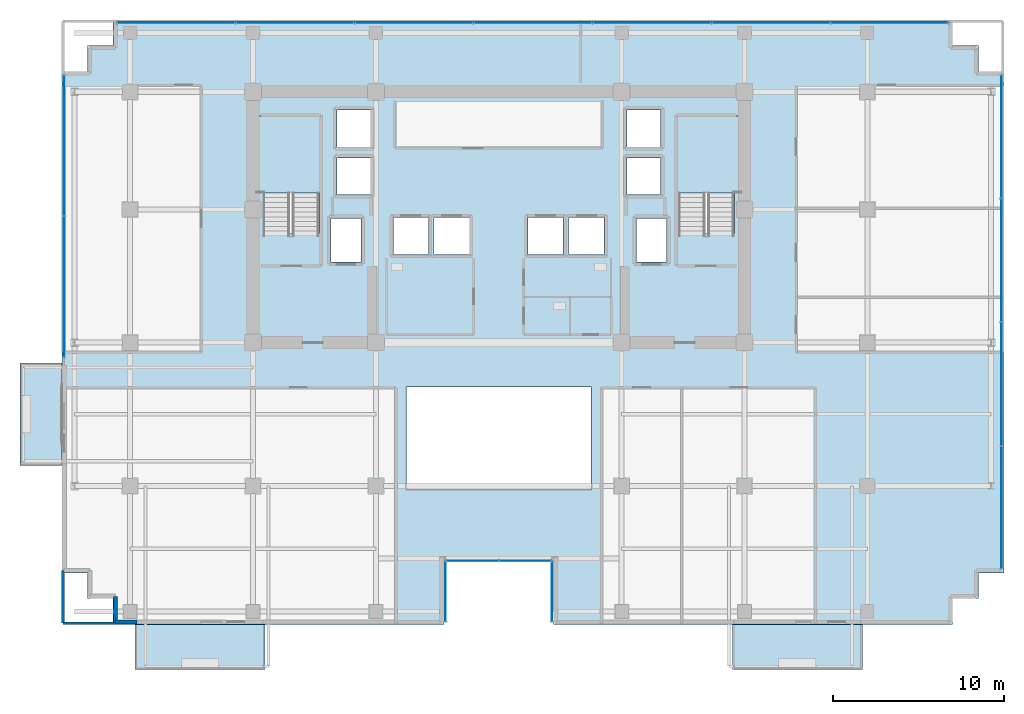
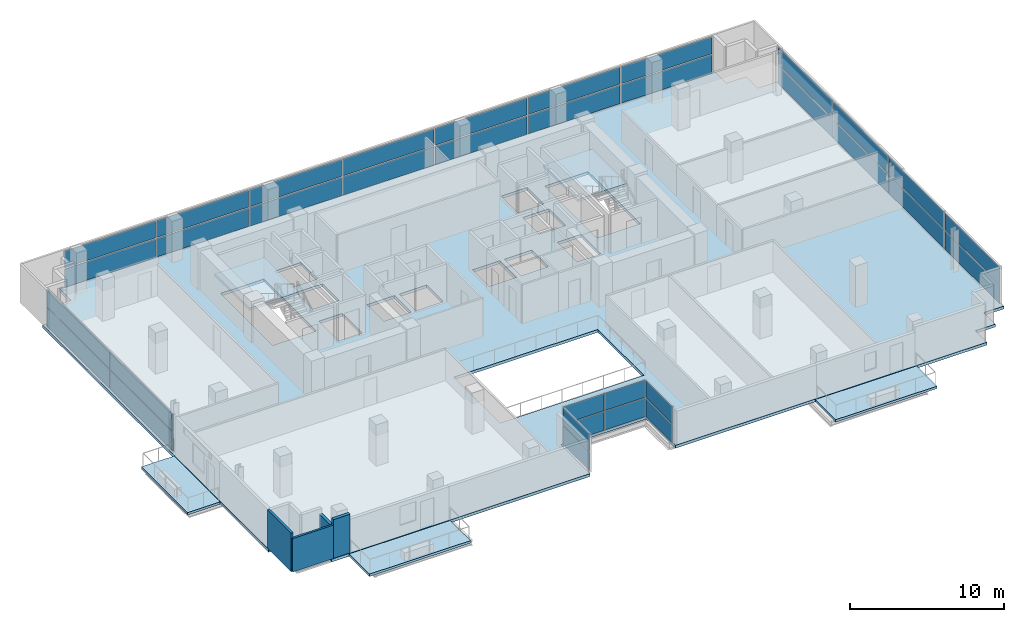
# One storey, part 14 of 23: 34 plates, 6 slabs, 4 walls, 8 elements without a shape of their own.
"""IFC4 building model written with IfcOpenShell, lengths in metres."""

from ifc_helpers import new_model, si_unit, direction, frame, frame_2d, origin, origin_2d, place, context, subcontext, project, spatial, polyline, rectangle, outline, extrude, source, transform, mapped, material, layer, layer_set, type_object, element, aggregate, save


model = new_model("IFC4")

# Units and contexts
model_context = context("Model", 3, precision=1e-05, world=origin(), true_north=direction((0.0, 1.0)))
body_context = subcontext(model_context, "Body", "Model", "MODEL_VIEW")
ifc_project = project(units=[si_unit("LENGTHUNIT", "METRE"), si_unit("AREAUNIT", "SQUARE_METRE"), si_unit("VOLUMEUNIT", "CUBIC_METRE"), si_unit("PLANEANGLEUNIT", "RADIAN"), si_unit("MASSUNIT", "GRAM", prefix="KILO")], contexts=[model_context])

# Site, building, storey
site_placement = place(None, origin())
site = spatial("IfcSite", under=ifc_project, at=site_placement, CompositionType="ELEMENT")
building_placement = place(site_placement, origin())
building = spatial("IfcBuilding", under=site, at=building_placement, Name="Zarnakvel Exchange Tower", CompositionType="ELEMENT")
storey_placement = place(building_placement, frame((0.0, 0.0, 129.699951171875)))
storey = spatial("IfcBuildingStorey", under=building, at=storey_placement, Name="L36", CompositionType="ELEMENT", Elevation=129.699951171875)

# Stair, slab
ifc_material_1 = material(Name="Concrete C40/50", Category="concrete")
stair_type = type_object("IfcStairType", Name="STR-01", PredefinedType="HALF_TURN_STAIR", material=ifc_material_1)
stair_1_placement = place(storey_placement, origin())
stair_1 = element("IfcStair", 1, at=stair_1_placement, inside=storey, type_object=stair_type, Name="L36 Protected Core Exit Stair ST-01", PredefinedType="HALF_TURN_STAIR")
ifc_layer_1 = layer(ifc_material_1, 0.199951171875)
ifc_layer_set_1 = layer_set([ifc_layer_1], Name="Concrete C40/50")
slab_type_1 = type_object("IfcSlabType", Name="LDG-01", PredefinedType="LANDING", material=ifc_layer_set_1)
slab_1_placement = place(storey_placement, frame((0.0, 0.0, 1.449951171875)))
slab_1 = element("IfcSlab", 2, at=slab_1_placement, type_object=slab_type_1, Name="ST-01 landing 1", PredefinedType="LANDING", context=body_context, shape_type="SweptSolid", body=[
    extrude(outline(polyline([(-14.18994140625, 7.570068359375), (-10.4599609375, 7.570068359375), (-10.4599609375, 12.080078125), (-14.18994140625, 12.080078125), (-14.18994140625, 7.570068359375)])), origin(), (0.0, 0.0, 1.0), 0.2001953125),
])
aggregate(stair_1, [slab_1])

stair_2_placement = place(storey_placement, origin())
stair_2 = element("IfcStair", 3, at=stair_2_placement, inside=storey, type_object=stair_type, Name="L36 Protected Core Exit Stair ST-02", PredefinedType="HALF_TURN_STAIR")
slab_2_placement = place(storey_placement, frame((0.0, 0.0, 1.449951171875)))
slab_2 = element("IfcSlab", 4, at=slab_2_placement, type_object=slab_type_1, Name="ST-02 landing 1", PredefinedType="LANDING", context=body_context, shape_type="SweptSolid", body=[
    extrude(outline(polyline([(10.4599609375, 7.570068359375), (14.18994140625, 7.570068359375), (14.18994140625, 12.080078125), (10.4599609375, 12.080078125), (10.4599609375, 7.570068359375)])), origin(), (0.0, 0.0, 1.0), 0.2001953125),
])
aggregate(stair_2, [slab_2])

# Slabs
ifc_layer_2 = layer(ifc_material_1, 0.22509765625)
ifc_layer_set_2 = layer_set([ifc_layer_2], Name="Concrete C40/50")
slab_type_2 = type_object("IfcSlabType", Name="SL-04", PredefinedType="FLOOR", material=ifc_layer_set_2)
slab_3_placement = place(storey_placement, frame((0.0, 0.0, -0.224853515625)))
element("IfcSlab", 5, at=slab_3_placement, inside=storey, type_object=slab_type_2, Name="L36 Primary Structural Floor Slab", PredefinedType="FLOOR", context=body_context, shape_type="SweptSolid", body=[
    extrude(outline(polyline([(-25.60009765625, -14.699951171875), (-24.10009765625, -14.699951171875), (-24.10009765625, -16.199951171875), (-22.60009765625, -16.199951171875), (-22.60009765625, -17.699951171875), (-3.199951171875, -17.699951171875), (-3.199951171875, -13.89990234375), (3.199951171875, -13.89990234375), (3.199951171875, -17.699951171875), (26.60009765625, -17.699951171875), (26.60009765625, -16.199951171875), (28.10009765625, -16.199951171875), (28.10009765625, -14.699951171875), (29.60009765625, -14.699951171875), (29.60009765625, 14.699951171875), (28.10009765625, 14.699951171875), (28.10009765625, 16.199951171875), (26.60009765625, 16.199951171875), (26.60009765625, 17.699951171875), (-22.60009765625, 17.699951171875), (-22.60009765625, 16.199951171875), (-24.10009765625, 16.199951171875), (-24.10009765625, 14.699951171875), (-25.60009765625, 14.699951171875), (-25.60009765625, -14.699951171875)]), holes=[polyline([(-5.39990234375, -9.800048828125), (5.39990234375, -9.800048828125), (5.39990234375, -3.800048828125), (-5.39990234375, -3.800048828125), (-5.39990234375, -9.800048828125)]), polyline([(-13.800048828125, 5.2099609375), (-10.5400390625, 5.2099609375), (-10.5400390625, 12.0), (-13.800048828125, 12.0), (-13.800048828125, 5.2099609375)]), polyline([(10.5400390625, 5.2099609375), (13.800048828125, 5.2099609375), (13.800048828125, 12.0), (10.5400390625, 12.0), (10.5400390625, 5.2099609375)]), polyline([(-9.830078125, 3.52001953125), (-8.070068359375, 3.52001953125), (-8.070068359375, 6.080078125), (-9.830078125, 6.080078125), (-9.830078125, 3.52001953125)]), polyline([(8.070068359375, 3.52001953125), (9.830078125, 3.52001953125), (9.830078125, 6.080078125), (8.070068359375, 6.080078125), (8.070068359375, 3.52001953125)]), polyline([(-6.179931640625, 3.969970703125), (-4.1201171875, 3.969970703125), (-4.1201171875, 6.1298828125), (-6.179931640625, 6.1298828125), (-6.179931640625, 3.969970703125)]), polyline([(-3.780029296875, 3.969970703125), (-1.719970703125, 3.969970703125), (-1.719970703125, 6.1298828125), (-3.780029296875, 6.1298828125), (-3.780029296875, 3.969970703125)]), polyline([(1.719970703125, 3.969970703125), (3.780029296875, 3.969970703125), (3.780029296875, 6.1298828125), (1.719970703125, 6.1298828125), (1.719970703125, 3.969970703125)]), polyline([(4.1201171875, 3.969970703125), (6.179931640625, 3.969970703125), (6.179931640625, 6.1298828125), (4.1201171875, 6.1298828125), (4.1201171875, 3.969970703125)]), polyline([(-9.47998046875, 7.469970703125), (-7.52001953125, 7.469970703125), (-7.52001953125, 9.6298828125), (-9.47998046875, 9.6298828125), (-9.47998046875, 7.469970703125)]), polyline([(-9.47998046875, 10.27001953125), (-7.52001953125, 10.27001953125), (-7.52001953125, 12.429931640625), (-9.47998046875, 12.429931640625), (-9.47998046875, 10.27001953125)]), polyline([(7.52001953125, 7.469970703125), (9.47998046875, 7.469970703125), (9.47998046875, 9.6298828125), (7.52001953125, 9.6298828125), (7.52001953125, 7.469970703125)]), polyline([(7.52001953125, 10.27001953125), (9.47998046875, 10.27001953125), (9.47998046875, 12.429931640625), (7.52001953125, 12.429931640625), (7.52001953125, 10.27001953125)])]), origin(), (0.0, 0.0, 1.0), 0.224853515625),
])
ifc_layer_3 = layer(ifc_material_1, 0.18994140625)
ifc_layer_set_3 = layer_set([ifc_layer_3], Name="Concrete C40/50")
slab_type_3 = type_object("IfcSlabType", Name="SL-08", PredefinedType="USERDEFINED", material=ifc_layer_set_3)
slab_4_placement = place(storey_placement, frame((0.0, 0.0, -0.224853515625)))
element("IfcSlab", 6, at=slab_4_placement, inside=storey, type_object=slab_type_3, Name="L36 Planted Loggia Balcony Slab BAL-L36-SW", ObjectType="BALCONY", PredefinedType="USERDEFINED", context=body_context, shape_type="SweptSolid", body=[
    extrude(outline(polyline([(-21.300048828125, -20.35009765625), (-13.699951171875, -20.35009765625), (-13.699951171875, -17.699951171875), (-21.300048828125, -17.699951171875), (-21.300048828125, -20.35009765625)])), origin(), (0.0, 0.0, 1.0), 0.18994140625),
])
slab_5_placement = place(storey_placement, frame((0.0, 0.0, -0.224853515625)))
element("IfcSlab", 7, at=slab_5_placement, inside=storey, type_object=slab_type_3, Name="L36 Planted Loggia Balcony Slab BAL-L36-SE", ObjectType="BALCONY", PredefinedType="USERDEFINED", context=body_context, shape_type="SweptSolid", body=[
    extrude(outline(polyline([(13.699951171875, -20.35009765625), (21.300048828125, -20.35009765625), (21.300048828125, -17.699951171875), (13.699951171875, -17.699951171875), (13.699951171875, -20.35009765625)])), origin(), (0.0, 0.0, 1.0), 0.18994140625),
])
slab_6_placement = place(storey_placement, frame((0.0, 0.0, -0.224853515625)))
element("IfcSlab", 8, at=slab_6_placement, inside=storey, type_object=slab_type_3, Name="L36 Planted Loggia Balcony Slab BAL-L36-W", ObjectType="BALCONY", PredefinedType="USERDEFINED", context=body_context, shape_type="SweptSolid", body=[
    extrude(outline(polyline([(-28.050048828125, -8.39990234375), (-25.60009765625, -8.39990234375), (-25.60009765625, -2.39990234375), (-28.050048828125, -2.39990234375), (-28.050048828125, -8.39990234375)])), origin(), (0.0, 0.0, 1.0), 0.18994140625),
])

# Curtain wall, plate
ifc_material_2 = material(Name="Architectural Bronze Anodised Aluminium", Category="aluminium")
ifc_layer_4 = layer(ifc_material_2, 0.179931640625)
ifc_layer_set_4 = layer_set([ifc_layer_4], Name="Architectural Bronze Anodised Aluminium")
curtain_wall_type_1 = type_object("IfcCurtainWallType", Name="CW-05", PredefinedType="NOTDEFINED", material=ifc_layer_set_4)
curtain_wall_1_placement = place(storey_placement, origin())
curtain_wall_1 = element("IfcCurtainWall", 9, at=curtain_wall_1_placement, inside=storey, type_object=curtain_wall_type_1, Name="L36 Curtain Wall CW-L36-SLW (CW-05)", PredefinedType="NOTDEFINED")
ifc_material_3 = material(Name="Double Low-E Laminated Vision Glass", Category="glass")
ifc_layer_5 = layer(ifc_material_3, 0.02587890625)
ifc_layer_set_5 = layer_set([ifc_layer_5], Name="Double Low-E Laminated Vision Glass")
plate_type_1 = type_object("IfcPlateType", Name="CWP-05", PredefinedType="CURTAIN_PANEL", material=ifc_layer_set_5)
shared_shape_1 = source(origin(), body_context, "Body", "SweptSolid", [
    extrude(rectangle(XDim=3.4599609375, YDim=0.02587890625, at=origin_2d()), origin(), (0.0, 0.0, 1.0), 1.483642578125),
])
plate_1_placement = place(storey_placement, frame((-3.1201171875, -15.780029296875, 0.06982421875), z_axis=(0.0, 0.0, 1.0), x_axis=(0.0, 1.0, 0.0)))
plate_1 = element("IfcPlate", 10, at=plate_1_placement, type_object=plate_type_1, Name="CW-05 panel 1.1", PredefinedType="CURTAIN_PANEL", context=body_context, shape_type="MappedRepresentation", body=[
    mapped(shared_shape_1, transform((0.0, 0.0, 0.0), x_axis=(1.0, 0.0, 0.0), y_axis=(0.0, 1.0, 0.0), z_axis=(0.0, 0.0, 1.0), scale=1.0)),
])

curtain_wall_2_placement = place(storey_placement, origin())
curtain_wall_2 = element("IfcCurtainWall", 11, at=curtain_wall_2_placement, inside=storey, type_object=curtain_wall_type_1, Name="L36 Curtain Wall CW-L36-SLE (CW-05)", PredefinedType="NOTDEFINED")
plate_2_placement = place(storey_placement, frame((3.1201171875, -15.780029296875, 0.06982421875), z_axis=(0.0, 0.0, 1.0), x_axis=(0.0, -1.0, 0.0)))
plate_2 = element("IfcPlate", 12, at=plate_2_placement, type_object=plate_type_1, Name="CW-05 panel 1.1", PredefinedType="CURTAIN_PANEL", context=body_context, shape_type="MappedRepresentation", body=[
    mapped(shared_shape_1, transform((0.0, 0.0, 0.0), x_axis=(1.0, 0.0, 0.0), y_axis=(0.0, 1.0, 0.0), z_axis=(0.0, 0.0, 1.0), scale=1.0)),
])

# Plate
shared_shape_2 = source(origin(), body_context, "Body", "SweptSolid", [
    extrude(rectangle(XDim=3.4599609375, YDim=0.02587890625, at=origin_2d()), origin(), (0.0, 0.0, 1.0), 1.361328125),
])
plate_3_placement = place(storey_placement, frame((-3.1201171875, -15.780029296875, 1.623779296875), z_axis=(0.0, 0.0, 1.0), x_axis=(0.0, 1.0, 0.0)))
plate_3 = element("IfcPlate", 13, at=plate_3_placement, type_object=plate_type_1, Name="CW-05 panel 1.2", PredefinedType="CURTAIN_PANEL", context=body_context, shape_type="MappedRepresentation", body=[
    mapped(shared_shape_2, transform((0.0, 0.0, 0.0), x_axis=(1.0, 0.0, 0.0), y_axis=(0.0, 1.0, 0.0), z_axis=(0.0, 0.0, 1.0), scale=1.0)),
])

aggregate(curtain_wall_1, [plate_1, plate_3])

plate_4_placement = place(storey_placement, frame((3.1201171875, -15.780029296875, 1.623779296875), z_axis=(0.0, 0.0, 1.0), x_axis=(0.0, -1.0, 0.0)))
plate_4 = element("IfcPlate", 14, at=plate_4_placement, type_object=plate_type_1, Name="CW-05 panel 1.2", PredefinedType="CURTAIN_PANEL", context=body_context, shape_type="MappedRepresentation", body=[
    mapped(shared_shape_2, transform((0.0, 0.0, 0.0), x_axis=(1.0, 0.0, 0.0), y_axis=(0.0, 1.0, 0.0), z_axis=(0.0, 0.0, 1.0), scale=1.0)),
])

aggregate(curtain_wall_2, [plate_2, plate_4])

# Curtain wall, plates
curtain_wall_3_placement = place(storey_placement, origin())
curtain_wall_3 = element("IfcCurtainWall", 15, at=curtain_wall_3_placement, inside=storey, type_object=curtain_wall_type_1, Name="L36 Curtain Wall CW-L36-SLB (CW-05)", PredefinedType="NOTDEFINED")
shared_shape_3 = source(origin(), body_context, "Body", "SweptSolid", [
    extrude(rectangle(XDim=3.014892578125, YDim=0.02587890625, at=origin_2d()), origin(), (0.0, 0.0, 1.0), 1.483642578125),
])
plate_5_placement = place(storey_placement, frame((-1.54248046875, -13.97998046875, 0.06982421875), z_axis=(0.0, 0.0, 1.0), x_axis=(1.0, 0.0, 0.0)))
plate_5 = element("IfcPlate", 16, at=plate_5_placement, type_object=plate_type_1, Name="CW-05 panel 1.1", PredefinedType="CURTAIN_PANEL", context=body_context, shape_type="MappedRepresentation", body=[
    mapped(shared_shape_3, transform((0.0, 0.0, 0.0), x_axis=(1.0, 0.0, 0.0), y_axis=(0.0, 1.0, 0.0), z_axis=(0.0, 0.0, 1.0), scale=1.0)),
])
plate_6_placement = place(storey_placement, frame((1.54248046875, -13.97998046875, 0.06982421875), z_axis=(0.0, 0.0, 1.0), x_axis=(1.0, 0.0, 0.0)))
plate_6 = element("IfcPlate", 17, at=plate_6_placement, type_object=plate_type_1, Name="CW-05 panel 2.1", PredefinedType="CURTAIN_PANEL", context=body_context, shape_type="MappedRepresentation", body=[
    mapped(shared_shape_3, transform((0.0, 0.0, 0.0), x_axis=(1.0, 0.0, 0.0), y_axis=(0.0, 1.0, 0.0), z_axis=(0.0, 0.0, 1.0), scale=1.0)),
])
shared_shape_4 = source(origin(), body_context, "Body", "SweptSolid", [
    extrude(rectangle(XDim=3.014892578125, YDim=0.02587890625, at=origin_2d()), origin(), (0.0, 0.0, 1.0), 1.361328125),
])
plate_7_placement = place(storey_placement, frame((-1.54248046875, -13.97998046875, 1.623779296875), z_axis=(0.0, 0.0, 1.0), x_axis=(1.0, 0.0, 0.0)))
plate_7 = element("IfcPlate", 18, at=plate_7_placement, type_object=plate_type_1, Name="CW-05 panel 1.2", PredefinedType="CURTAIN_PANEL", context=body_context, shape_type="MappedRepresentation", body=[
    mapped(shared_shape_4, transform((0.0, 0.0, 0.0), x_axis=(1.0, 0.0, 0.0), y_axis=(0.0, 1.0, 0.0), z_axis=(0.0, 0.0, 1.0), scale=1.0)),
])
plate_8_placement = place(storey_placement, frame((1.54248046875, -13.97998046875, 1.623779296875), z_axis=(0.0, 0.0, 1.0), x_axis=(1.0, 0.0, 0.0)))
plate_8 = element("IfcPlate", 19, at=plate_8_placement, type_object=plate_type_1, Name="CW-05 panel 2.2", PredefinedType="CURTAIN_PANEL", context=body_context, shape_type="MappedRepresentation", body=[
    mapped(shared_shape_4, transform((0.0, 0.0, 0.0), x_axis=(1.0, 0.0, 0.0), y_axis=(0.0, 1.0, 0.0), z_axis=(0.0, 0.0, 1.0), scale=1.0)),
])
aggregate(curtain_wall_3, [plate_5, plate_7, plate_6, plate_8])

ifc_layer_6 = layer(ifc_material_2, 0.199951171875)
ifc_layer_set_6 = layer_set([ifc_layer_6], Name="Architectural Bronze Anodised Aluminium")
curtain_wall_type_2 = type_object("IfcCurtainWallType", Name="CW-04", PredefinedType="NOTDEFINED", material=ifc_layer_set_6)
curtain_wall_4_placement = place(storey_placement, origin())
curtain_wall_4 = element("IfcCurtainWall", 20, at=curtain_wall_4_placement, inside=storey, type_object=curtain_wall_type_2, Name="L36 Curtain Wall CW-L36-E1 (CW-04)", PredefinedType="NOTDEFINED")
ifc_layer_7 = layer(ifc_material_3, 0.028076171875)
ifc_layer_set_7 = layer_set([ifc_layer_7], Name="Double Low-E Laminated Vision Glass")
plate_type_2 = type_object("IfcPlateType", Name="CWP-04", PredefinedType="CURTAIN_PANEL", material=ifc_layer_set_7)
shared_shape_5 = source(origin(), body_context, "Body", "SweptSolid", [
    extrude(rectangle(XDim=7.137451171875, YDim=0.028076171875, at=origin_2d()), origin(), (0.0, 0.0, 1.0), 1.47607421875),
])
plate_9_placement = place(storey_placement, frame((29.4599609375, -10.856201171875, 0.074951171875), z_axis=(0.0, 0.0, 1.0), x_axis=(0.0, 1.0, 0.0)))
plate_9 = element("IfcPlate", 21, at=plate_9_placement, type_object=plate_type_2, Name="CW-04 panel 1.1", PredefinedType="CURTAIN_PANEL", context=body_context, shape_type="MappedRepresentation", body=[
    mapped(shared_shape_5, transform((0.0, 0.0, 0.0), x_axis=(1.0, 0.0, 0.0), y_axis=(0.0, 1.0, 0.0), z_axis=(0.0, 0.0, 1.0), scale=1.0)),
])
plate_10_placement = place(storey_placement, frame((29.4599609375, 10.856201171875, 0.074951171875), z_axis=(0.0, 0.0, 1.0), x_axis=(0.0, 1.0, 0.0)))
plate_10 = element("IfcPlate", 22, at=plate_10_placement, type_object=plate_type_2, Name="CW-04 panel 4.1", PredefinedType="CURTAIN_PANEL", context=body_context, shape_type="MappedRepresentation", body=[
    mapped(shared_shape_5, transform((0.0, 0.0, 0.0), x_axis=(1.0, 0.0, 0.0), y_axis=(0.0, 1.0, 0.0), z_axis=(0.0, 0.0, 1.0), scale=1.0)),
])
shared_shape_6 = source(origin(), body_context, "Body", "SweptSolid", [
    extrude(rectangle(XDim=7.137451171875, YDim=0.028076171875, at=origin_2d()), origin(), (0.0, 0.0, 1.0), 1.35400390625),
])
plate_11_placement = place(storey_placement, frame((29.4599609375, -10.856201171875, 1.6259765625), z_axis=(0.0, 0.0, 1.0), x_axis=(0.0, 1.0, 0.0)))
plate_11 = element("IfcPlate", 23, at=plate_11_placement, type_object=plate_type_2, Name="CW-04 panel 1.2", PredefinedType="CURTAIN_PANEL", context=body_context, shape_type="MappedRepresentation", body=[
    mapped(shared_shape_6, transform((0.0, 0.0, 0.0), x_axis=(1.0, 0.0, 0.0), y_axis=(0.0, 1.0, 0.0), z_axis=(0.0, 0.0, 1.0), scale=1.0)),
])
plate_12_placement = place(storey_placement, frame((29.4599609375, 10.856201171875, 1.6259765625), z_axis=(0.0, 0.0, 1.0), x_axis=(0.0, 1.0, 0.0)))
plate_12 = element("IfcPlate", 24, at=plate_12_placement, type_object=plate_type_2, Name="CW-04 panel 4.2", PredefinedType="CURTAIN_PANEL", context=body_context, shape_type="MappedRepresentation", body=[
    mapped(shared_shape_6, transform((0.0, 0.0, 0.0), x_axis=(1.0, 0.0, 0.0), y_axis=(0.0, 1.0, 0.0), z_axis=(0.0, 0.0, 1.0), scale=1.0)),
])
shared_shape_7 = source(origin(), body_context, "Body", "SweptSolid", [
    extrude(rectangle(XDim=7.175048828125, YDim=0.028076171875, at=origin_2d()), origin(), (0.0, 0.0, 1.0), 1.47607421875),
])
plate_13_placement = place(storey_placement, frame((29.4599609375, -3.625, 0.074951171875), z_axis=(0.0, 0.0, 1.0), x_axis=(0.0, 1.0, 0.0)))
plate_13 = element("IfcPlate", 25, at=plate_13_placement, type_object=plate_type_2, Name="CW-04 panel 2.1", PredefinedType="CURTAIN_PANEL", context=body_context, shape_type="MappedRepresentation", body=[
    mapped(shared_shape_7, transform((0.0, 0.0, 0.0), x_axis=(1.0, 0.0, 0.0), y_axis=(0.0, 1.0, 0.0), z_axis=(0.0, 0.0, 1.0), scale=1.0)),
])
plate_14_placement = place(storey_placement, frame((29.4599609375, 3.625, 0.074951171875), z_axis=(0.0, 0.0, 1.0), x_axis=(0.0, 1.0, 0.0)))
plate_14 = element("IfcPlate", 26, at=plate_14_placement, type_object=plate_type_2, Name="CW-04 panel 3.1", PredefinedType="CURTAIN_PANEL", context=body_context, shape_type="MappedRepresentation", body=[
    mapped(shared_shape_7, transform((0.0, 0.0, 0.0), x_axis=(1.0, 0.0, 0.0), y_axis=(0.0, 1.0, 0.0), z_axis=(0.0, 0.0, 1.0), scale=1.0)),
])
shared_shape_8 = source(origin(), body_context, "Body", "SweptSolid", [
    extrude(rectangle(XDim=7.175048828125, YDim=0.028076171875, at=origin_2d()), origin(), (0.0, 0.0, 1.0), 1.35400390625),
])
plate_15_placement = place(storey_placement, frame((29.4599609375, -3.625, 1.6259765625), z_axis=(0.0, 0.0, 1.0), x_axis=(0.0, 1.0, 0.0)))
plate_15 = element("IfcPlate", 27, at=plate_15_placement, type_object=plate_type_2, Name="CW-04 panel 2.2", PredefinedType="CURTAIN_PANEL", context=body_context, shape_type="MappedRepresentation", body=[
    mapped(shared_shape_8, transform((0.0, 0.0, 0.0), x_axis=(1.0, 0.0, 0.0), y_axis=(0.0, 1.0, 0.0), z_axis=(0.0, 0.0, 1.0), scale=1.0)),
])
plate_16_placement = place(storey_placement, frame((29.4599609375, 3.625, 1.6259765625), z_axis=(0.0, 0.0, 1.0), x_axis=(0.0, 1.0, 0.0)))
plate_16 = element("IfcPlate", 28, at=plate_16_placement, type_object=plate_type_2, Name="CW-04 panel 3.2", PredefinedType="CURTAIN_PANEL", context=body_context, shape_type="MappedRepresentation", body=[
    mapped(shared_shape_8, transform((0.0, 0.0, 0.0), x_axis=(1.0, 0.0, 0.0), y_axis=(0.0, 1.0, 0.0), z_axis=(0.0, 0.0, 1.0), scale=1.0)),
])
aggregate(curtain_wall_4, [plate_9, plate_11, plate_13, plate_15, plate_14, plate_16, plate_10, plate_12])

curtain_wall_5_placement = place(storey_placement, origin())
curtain_wall_5 = element("IfcCurtainWall", 29, at=curtain_wall_5_placement, inside=storey, type_object=curtain_wall_type_2, Name="L36 Curtain Wall CW-L36-WN (CW-04)", PredefinedType="NOTDEFINED")
shared_shape_9 = source(origin(), body_context, "Body", "SweptSolid", [
    extrude(rectangle(XDim=8.1875, YDim=0.028076171875, at=origin_2d()), origin(), (0.0, 0.0, 1.0), 1.47607421875),
])
plate_17_placement = place(storey_placement, frame((-25.4599609375, 2.06884765625, 0.074951171875), z_axis=(0.0, 0.0, 1.0), x_axis=(0.0, 1.0, 0.0)))
plate_17 = element("IfcPlate", 30, at=plate_17_placement, type_object=plate_type_2, Name="CW-04 panel 1.1", PredefinedType="CURTAIN_PANEL", context=body_context, shape_type="MappedRepresentation", body=[
    mapped(shared_shape_9, transform((0.0, 0.0, 0.0), x_axis=(1.0, 0.0, 0.0), y_axis=(0.0, 1.0, 0.0), z_axis=(0.0, 0.0, 1.0), scale=1.0)),
])
plate_18_placement = place(storey_placement, frame((-25.4599609375, 10.331298828125, 0.074951171875), z_axis=(0.0, 0.0, 1.0), x_axis=(0.0, 1.0, 0.0)))
plate_18 = element("IfcPlate", 31, at=plate_18_placement, type_object=plate_type_2, Name="CW-04 panel 2.1", PredefinedType="CURTAIN_PANEL", context=body_context, shape_type="MappedRepresentation", body=[
    mapped(shared_shape_9, transform((0.0, 0.0, 0.0), x_axis=(1.0, 0.0, 0.0), y_axis=(0.0, 1.0, 0.0), z_axis=(0.0, 0.0, 1.0), scale=1.0)),
])
shared_shape_10 = source(origin(), body_context, "Body", "SweptSolid", [
    extrude(rectangle(XDim=8.1875, YDim=0.028076171875, at=origin_2d()), origin(), (0.0, 0.0, 1.0), 1.35400390625),
])
plate_19_placement = place(storey_placement, frame((-25.4599609375, 2.06884765625, 1.6259765625), z_axis=(0.0, 0.0, 1.0), x_axis=(0.0, 1.0, 0.0)))
plate_19 = element("IfcPlate", 32, at=plate_19_placement, type_object=plate_type_2, Name="CW-04 panel 1.2", PredefinedType="CURTAIN_PANEL", context=body_context, shape_type="MappedRepresentation", body=[
    mapped(shared_shape_10, transform((0.0, 0.0, 0.0), x_axis=(1.0, 0.0, 0.0), y_axis=(0.0, 1.0, 0.0), z_axis=(0.0, 0.0, 1.0), scale=1.0)),
])
plate_20_placement = place(storey_placement, frame((-25.4599609375, 10.331298828125, 1.6259765625), z_axis=(0.0, 0.0, 1.0), x_axis=(0.0, 1.0, 0.0)))
plate_20 = element("IfcPlate", 33, at=plate_20_placement, type_object=plate_type_2, Name="CW-04 panel 2.2", PredefinedType="CURTAIN_PANEL", context=body_context, shape_type="MappedRepresentation", body=[
    mapped(shared_shape_10, transform((0.0, 0.0, 0.0), x_axis=(1.0, 0.0, 0.0), y_axis=(0.0, 1.0, 0.0), z_axis=(0.0, 0.0, 1.0), scale=1.0)),
])
aggregate(curtain_wall_5, [plate_17, plate_19, plate_18, plate_20])

ifc_layer_8 = layer(ifc_material_2, 0.239990234375)
ifc_layer_set_8 = layer_set([ifc_layer_8], Name="Architectural Bronze Anodised Aluminium")
curtain_wall_type_3 = type_object("IfcCurtainWallType", Name="CW-02", PredefinedType="NOTDEFINED", material=ifc_layer_set_8)
curtain_wall_6_placement = place(storey_placement, origin())
curtain_wall_6 = element("IfcCurtainWall", 34, at=curtain_wall_6_placement, inside=storey, type_object=curtain_wall_type_3, Name="L36 Curtain Wall CW-L36-N1 (CW-02)", PredefinedType="NOTDEFINED")
ifc_layer_9 = layer(ifc_material_3, 0.031982421875)
ifc_layer_set_9 = layer_set([ifc_layer_9], Name="Double Low-E Laminated Vision Glass")
plate_type_3 = type_object("IfcPlateType", Name="CWP-02", PredefinedType="CURTAIN_PANEL", material=ifc_layer_set_9)
shared_shape_11 = source(origin(), body_context, "Body", "SweptSolid", [
    extrude(rectangle(XDim=6.83642578125, YDim=0.031982421875, at=origin_2d()), origin(), (0.0, 0.0, 1.0), 1.461181640625),
])
plate_21_placement = place(storey_placement, frame((-18.891845703125, 17.56005859375, 0.0849609375), z_axis=(0.0, 0.0, 1.0), x_axis=(1.0, 0.0, 0.0)))
plate_21 = element("IfcPlate", 35, at=plate_21_placement, type_object=plate_type_3, Name="CW-02 panel 1.1", PredefinedType="CURTAIN_PANEL", context=body_context, shape_type="MappedRepresentation", body=[
    mapped(shared_shape_11, transform((0.0, 0.0, 0.0), x_axis=(1.0, 0.0, 0.0), y_axis=(0.0, 1.0, 0.0), z_axis=(0.0, 0.0, 1.0), scale=1.0)),
])
plate_22_placement = place(storey_placement, frame((22.891845703125, 17.56005859375, 0.0849609375), z_axis=(0.0, 0.0, 1.0), x_axis=(1.0, 0.0, 0.0)))
plate_22 = element("IfcPlate", 36, at=plate_22_placement, type_object=plate_type_3, Name="CW-02 panel 7.1", PredefinedType="CURTAIN_PANEL", context=body_context, shape_type="MappedRepresentation", body=[
    mapped(shared_shape_11, transform((0.0, 0.0, 0.0), x_axis=(1.0, 0.0, 0.0), y_axis=(0.0, 1.0, 0.0), z_axis=(0.0, 0.0, 1.0), scale=1.0)),
])
shared_shape_12 = source(origin(), body_context, "Body", "SweptSolid", [
    extrude(rectangle(XDim=6.83642578125, YDim=0.031982421875, at=origin_2d()), origin(), (0.0, 0.0, 1.0), 1.3388671875),
])
plate_23_placement = place(storey_placement, frame((-18.891845703125, 17.56005859375, 1.631103515625), z_axis=(0.0, 0.0, 1.0), x_axis=(1.0, 0.0, 0.0)))
plate_23 = element("IfcPlate", 37, at=plate_23_placement, type_object=plate_type_3, Name="CW-02 panel 1.2", PredefinedType="CURTAIN_PANEL", context=body_context, shape_type="MappedRepresentation", body=[
    mapped(shared_shape_12, transform((0.0, 0.0, 0.0), x_axis=(1.0, 0.0, 0.0), y_axis=(0.0, 1.0, 0.0), z_axis=(0.0, 0.0, 1.0), scale=1.0)),
])
plate_24_placement = place(storey_placement, frame((22.891845703125, 17.56005859375, 1.631103515625), z_axis=(0.0, 0.0, 1.0), x_axis=(1.0, 0.0, 0.0)))
plate_24 = element("IfcPlate", 38, at=plate_24_placement, type_object=plate_type_3, Name="CW-02 panel 7.2", PredefinedType="CURTAIN_PANEL", context=body_context, shape_type="MappedRepresentation", body=[
    mapped(shared_shape_12, transform((0.0, 0.0, 0.0), x_axis=(1.0, 0.0, 0.0), y_axis=(0.0, 1.0, 0.0), z_axis=(0.0, 0.0, 1.0), scale=1.0)),
])
shared_shape_13 = source(origin(), body_context, "Body", "SweptSolid", [
    extrude(rectangle(XDim=6.88134765625, YDim=0.031982421875, at=origin_2d()), origin(), (0.0, 0.0, 1.0), 1.461181640625),
])
plate_25_placement = place(storey_placement, frame((-11.94287109375, 17.56005859375, 0.0849609375), z_axis=(0.0, 0.0, 1.0), x_axis=(1.0, 0.0, 0.0)))
plate_25 = element("IfcPlate", 39, at=plate_25_placement, type_object=plate_type_3, Name="CW-02 panel 2.1", PredefinedType="CURTAIN_PANEL", context=body_context, shape_type="MappedRepresentation", body=[
    mapped(shared_shape_13, transform((0.0, 0.0, 0.0), x_axis=(1.0, 0.0, 0.0), y_axis=(0.0, 1.0, 0.0), z_axis=(0.0, 0.0, 1.0), scale=1.0)),
])
plate_26_placement = place(storey_placement, frame((-4.971435546875, 17.56005859375, 0.0849609375), z_axis=(0.0, 0.0, 1.0), x_axis=(1.0, 0.0, 0.0)))
plate_26 = element("IfcPlate", 40, at=plate_26_placement, type_object=plate_type_3, Name="CW-02 panel 3.1", PredefinedType="CURTAIN_PANEL", context=body_context, shape_type="MappedRepresentation", body=[
    mapped(shared_shape_13, transform((0.0, 0.0, 0.0), x_axis=(1.0, 0.0, 0.0), y_axis=(0.0, 1.0, 0.0), z_axis=(0.0, 0.0, 1.0), scale=1.0)),
])
plate_27_placement = place(storey_placement, frame((2.0, 17.56005859375, 0.0849609375), z_axis=(0.0, 0.0, 1.0), x_axis=(1.0, 0.0, 0.0)))
plate_27 = element("IfcPlate", 41, at=plate_27_placement, type_object=plate_type_3, Name="CW-02 panel 4.1", PredefinedType="CURTAIN_PANEL", context=body_context, shape_type="MappedRepresentation", body=[
    mapped(shared_shape_13, transform((0.0, 0.0, 0.0), x_axis=(1.0, 0.0, 0.0), y_axis=(0.0, 1.0, 0.0), z_axis=(0.0, 0.0, 1.0), scale=1.0)),
])
plate_28_placement = place(storey_placement, frame((8.971435546875, 17.56005859375, 0.0849609375), z_axis=(0.0, 0.0, 1.0), x_axis=(1.0, 0.0, 0.0)))
plate_28 = element("IfcPlate", 42, at=plate_28_placement, type_object=plate_type_3, Name="CW-02 panel 5.1", PredefinedType="CURTAIN_PANEL", context=body_context, shape_type="MappedRepresentation", body=[
    mapped(shared_shape_13, transform((0.0, 0.0, 0.0), x_axis=(1.0, 0.0, 0.0), y_axis=(0.0, 1.0, 0.0), z_axis=(0.0, 0.0, 1.0), scale=1.0)),
])
plate_29_placement = place(storey_placement, frame((15.94287109375, 17.56005859375, 0.0849609375), z_axis=(0.0, 0.0, 1.0), x_axis=(1.0, 0.0, 0.0)))
plate_29 = element("IfcPlate", 43, at=plate_29_placement, type_object=plate_type_3, Name="CW-02 panel 6.1", PredefinedType="CURTAIN_PANEL", context=body_context, shape_type="MappedRepresentation", body=[
    mapped(shared_shape_13, transform((0.0, 0.0, 0.0), x_axis=(1.0, 0.0, 0.0), y_axis=(0.0, 1.0, 0.0), z_axis=(0.0, 0.0, 1.0), scale=1.0)),
])
shared_shape_14 = source(origin(), body_context, "Body", "SweptSolid", [
    extrude(rectangle(XDim=6.88134765625, YDim=0.031982421875, at=origin_2d()), origin(), (0.0, 0.0, 1.0), 1.3388671875),
])
plate_30_placement = place(storey_placement, frame((-11.94287109375, 17.56005859375, 1.631103515625), z_axis=(0.0, 0.0, 1.0), x_axis=(1.0, 0.0, 0.0)))
plate_30 = element("IfcPlate", 44, at=plate_30_placement, type_object=plate_type_3, Name="CW-02 panel 2.2", PredefinedType="CURTAIN_PANEL", context=body_context, shape_type="MappedRepresentation", body=[
    mapped(shared_shape_14, transform((0.0, 0.0, 0.0), x_axis=(1.0, 0.0, 0.0), y_axis=(0.0, 1.0, 0.0), z_axis=(0.0, 0.0, 1.0), scale=1.0)),
])
plate_31_placement = place(storey_placement, frame((-4.971435546875, 17.56005859375, 1.631103515625), z_axis=(0.0, 0.0, 1.0), x_axis=(1.0, 0.0, 0.0)))
plate_31 = element("IfcPlate", 45, at=plate_31_placement, type_object=plate_type_3, Name="CW-02 panel 3.2", PredefinedType="CURTAIN_PANEL", context=body_context, shape_type="MappedRepresentation", body=[
    mapped(shared_shape_14, transform((0.0, 0.0, 0.0), x_axis=(1.0, 0.0, 0.0), y_axis=(0.0, 1.0, 0.0), z_axis=(0.0, 0.0, 1.0), scale=1.0)),
])
plate_32_placement = place(storey_placement, frame((2.0, 17.56005859375, 1.631103515625), z_axis=(0.0, 0.0, 1.0), x_axis=(1.0, 0.0, 0.0)))
plate_32 = element("IfcPlate", 46, at=plate_32_placement, type_object=plate_type_3, Name="CW-02 panel 4.2", PredefinedType="CURTAIN_PANEL", context=body_context, shape_type="MappedRepresentation", body=[
    mapped(shared_shape_14, transform((0.0, 0.0, 0.0), x_axis=(1.0, 0.0, 0.0), y_axis=(0.0, 1.0, 0.0), z_axis=(0.0, 0.0, 1.0), scale=1.0)),
])
plate_33_placement = place(storey_placement, frame((8.971435546875, 17.56005859375, 1.631103515625), z_axis=(0.0, 0.0, 1.0), x_axis=(1.0, 0.0, 0.0)))
plate_33 = element("IfcPlate", 47, at=plate_33_placement, type_object=plate_type_3, Name="CW-02 panel 5.2", PredefinedType="CURTAIN_PANEL", context=body_context, shape_type="MappedRepresentation", body=[
    mapped(shared_shape_14, transform((0.0, 0.0, 0.0), x_axis=(1.0, 0.0, 0.0), y_axis=(0.0, 1.0, 0.0), z_axis=(0.0, 0.0, 1.0), scale=1.0)),
])
plate_34_placement = place(storey_placement, frame((15.94287109375, 17.56005859375, 1.631103515625), z_axis=(0.0, 0.0, 1.0), x_axis=(1.0, 0.0, 0.0)))
plate_34 = element("IfcPlate", 48, at=plate_34_placement, type_object=plate_type_3, Name="CW-02 panel 6.2", PredefinedType="CURTAIN_PANEL", context=body_context, shape_type="MappedRepresentation", body=[
    mapped(shared_shape_14, transform((0.0, 0.0, 0.0), x_axis=(1.0, 0.0, 0.0), y_axis=(0.0, 1.0, 0.0), z_axis=(0.0, 0.0, 1.0), scale=1.0)),
])
aggregate(curtain_wall_6, [plate_21, plate_23, plate_25, plate_30, plate_26, plate_31, plate_27, plate_32, plate_28, plate_33, plate_29, plate_34, plate_22, plate_24])

# Walls
ifc_material_4 = material(Name="Precast concrete C40/50", Category="concrete")
ifc_layer_10 = layer(ifc_material_4, 0.239990234375)
ifc_layer_set_10 = layer_set([ifc_layer_10], Name="Precast concrete C40/50")
wall_type_1 = type_object("IfcWallType", Name="EW-02", PredefinedType="SOLIDWALL", material=ifc_layer_set_10)
wall_1_placement = place(storey_placement, frame((-22.4599609375, -17.56005859375, 0.0), z_axis=(0.0, 0.0, 1.0), x_axis=(1.0, 0.0, 0.0)))
element("IfcWall", 49, at=wall_1_placement, inside=storey, type_object=wall_type_1, Name="L36 Exterior Precast Spandrel Wall EWC-L36-22 (EW-02)", PredefinedType="SOLIDWALL", context=body_context, shape_type="SweptSolid", body=[
    extrude(rectangle(XDim=1.260009765625, YDim=0.239990234375, at=frame_2d((0.6298828125, 0.0))), origin(), (0.0, 0.0, 1.0), 3.074951171875),
])
wall_2_placement = place(storey_placement, frame((-22.4599609375, -16.06005859375, 0.0), z_axis=(0.0, 0.0, 1.0), x_axis=(0.0, -1.0, 0.0)))
element("IfcWall", 50, at=wall_2_placement, inside=storey, type_object=wall_type_1, Name="L36 Exterior Precast Spandrel Wall EWC-L36-23 (EW-02)", PredefinedType="SOLIDWALL", context=body_context, shape_type="SweptSolid", body=[
    extrude(rectangle(XDim=1.5, YDim=0.239990234375, at=frame_2d((0.75, 0.0))), origin(), (0.0, 0.0, 1.0), 2.56494140625),
])
ifc_material_5 = material(Name="Fire-Rated Gypsum Stud Partition", Category="gypsum")
ifc_layer_11 = layer(ifc_material_5, 0.14990234375)
ifc_layer_set_11 = layer_set([ifc_layer_11], Name="Fire-Rated Gypsum Stud Partition")
wall_type_2 = type_object("IfcWallType", Name="PT-01", PredefinedType="PARTITIONING", material=ifc_layer_set_11)
wall_3_placement = place(storey_placement, frame((-22.4599609375, -17.6298828125, 0.0), z_axis=(0.0, 0.0, 1.0), x_axis=(-1.0, 0.0, 0.0)))
element("IfcWall", 51, at=wall_3_placement, inside=storey, type_object=wall_type_2, Name="L36 Partition Wall PWALL-L36-025 (PT-01)", PredefinedType="PARTITIONING", context=body_context, shape_type="SweptSolid", body=[
    extrude(rectangle(XDim=3.070068359375, YDim=0.14990234375, at=frame_2d((1.53515625, 0.0))), origin(), (0.0, 0.0, 1.0), 2.6650390625),
])
wall_4_placement = place(storey_placement, frame((-25.530029296875, -17.6298828125, 0.0), z_axis=(0.0, 0.0, 1.0), x_axis=(0.0, 1.0, 0.0)))
element("IfcWall", 52, at=wall_4_placement, inside=storey, type_object=wall_type_2, Name="L36 Partition Wall PWALL-L36-027 (PT-01)", PredefinedType="PARTITIONING", context=body_context, shape_type="SweptSolid", body=[
    extrude(rectangle(XDim=3.06982421875, YDim=0.14990234375, at=frame_2d((1.534912109375, 0.0))), origin(), (0.0, 0.0, 1.0), 3.074951171875),
])

save(model, "model.ifc")
